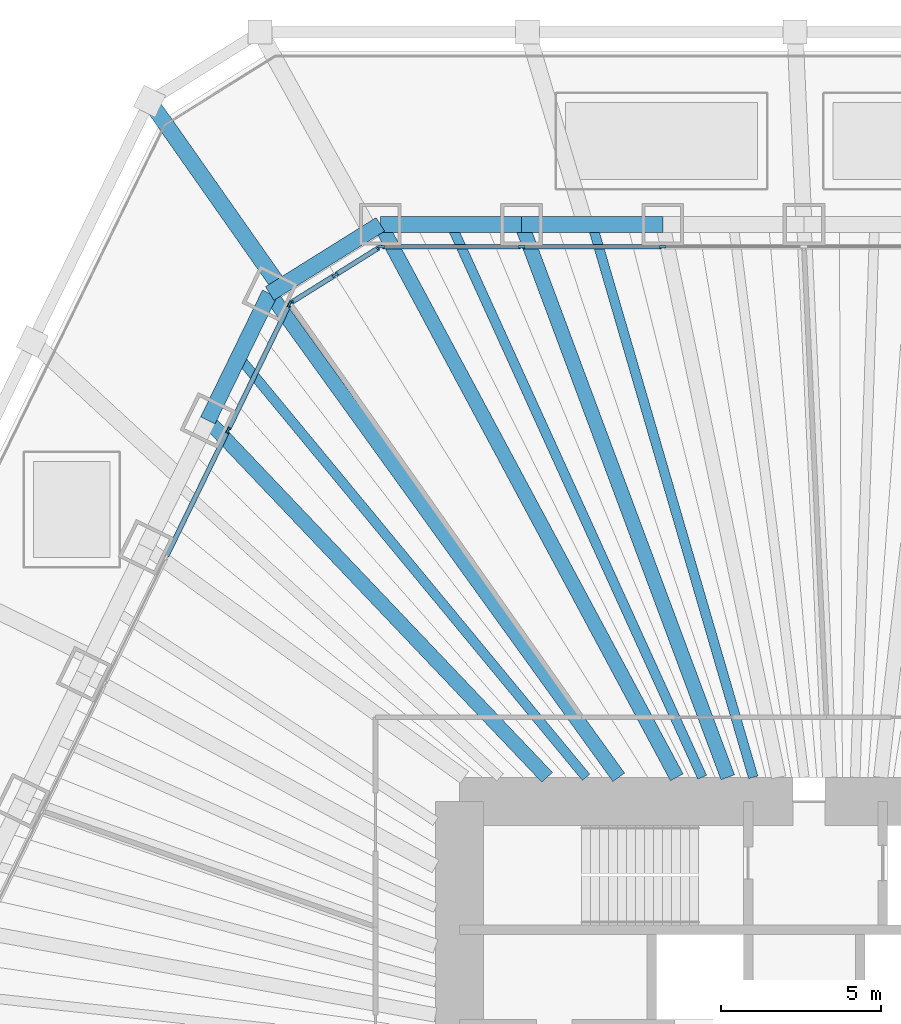
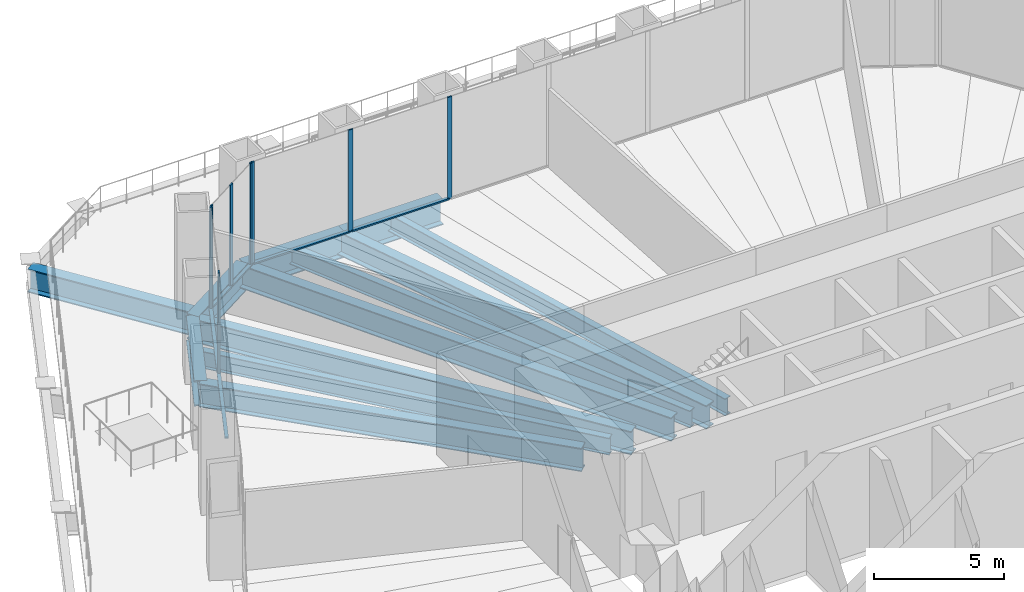
# One storey, part 7 of 20: 14 members, 12 beams, 3 elements without a shape of their own.
"""IFC4 building model written with IfcOpenShell, lengths in metres."""

from ifc_helpers import new_model, si_unit, direction, frame, origin, origin_2d, place, context, subcontext, project, spatial, rectangle, i_section, extrude, material, material_profile, profile_set, type_object, element, aggregate, save


model = new_model("IFC4")

# Units and contexts
model_context = context("Model", 3, precision=1e-05, world=origin(), true_north=direction((0.0, 1.0)))
body_context = subcontext(model_context, "Body", "Model", "MODEL_VIEW")
ifc_project = project(units=[si_unit("LENGTHUNIT", "METRE"), si_unit("AREAUNIT", "SQUARE_METRE"), si_unit("VOLUMEUNIT", "CUBIC_METRE"), si_unit("PLANEANGLEUNIT", "RADIAN"), si_unit("MASSUNIT", "GRAM", prefix="KILO")], contexts=[model_context])

# Site, building, storey
site_placement = place(None, origin())
site = spatial("IfcSite", under=ifc_project, at=site_placement, CompositionType="ELEMENT")
building_placement = place(site_placement, origin())
building = spatial("IfcBuilding", under=site, at=building_placement, Name="Qingtian Harvest Tower", CompositionType="ELEMENT")
storey_placement = place(building_placement, frame((0.0, 0.0, 17.0)))
storey = spatial("IfcBuildingStorey", under=building, at=storey_placement, Name="L03", CompositionType="ELEMENT", Elevation=17.0)

# Beams
ifc_material_1 = material(Name="Steel SM570MC", Category="steel")
ifc_material_profile_1 = material_profile(ifc_material_1, i_section(OverallWidth=0.449951171875, OverallDepth=1.10009765625, WebThickness=0.02197265625, FlangeThickness=0.044921875, at=origin_2d()), Name="H1100x450x22x45")
ifc_profile_set_1 = profile_set([ifc_material_profile_1], Name="Steel SM570MC")
beam_type_1 = type_object("IfcBeamType", Name="Corner floor beam FB8 H1100x450x22x45", PredefinedType="BEAM", material=ifc_profile_set_1)
beam_1_placement = place(storey_placement, frame((-14.471435546875, 27.0, -0.85009765625), z_axis=(0.472401408299, -0.881383520062, 0.0), x_axis=(0.881383520062, 0.472401408299, 0.0)))
element("IfcBeam", 1, at=beam_1_placement, inside=storey, type_object=beam_type_1, Name="Floor beam FB8 N0", PredefinedType="BEAM", context=body_context, shape_type="SweptSolid", body=[
    extrude(i_section(OverallWidth=0.449951171875, OverallDepth=1.10009765625, WebThickness=0.02197265625, FlangeThickness=0.044921875, at=origin_2d()), origin(), (0.0, 0.0, 1.0), 19.571533203125),
])
beam_2_placement = place(storey_placement, frame((-17.923583984375, 24.8427734375, -0.85009765625), z_axis=(0.585095822328, -0.810964166098, 0.0), x_axis=(0.810964166098, 0.585095822328, 0.0)))
element("IfcBeam", 2, at=beam_2_placement, inside=storey, type_object=beam_type_1, Name="Floor beam FB8 NW6", PredefinedType="BEAM", context=body_context, shape_type="SweptSolid", body=[
    extrude(i_section(OverallWidth=0.449951171875, OverallDepth=1.10009765625, WebThickness=0.02197265625, FlangeThickness=0.044921875, at=origin_2d()), origin(), (0.0, 0.0, 1.0), 18.61083984375),
])
ifc_material_2 = material(Name="Steel SM570MC", Category="steel")
ifc_material_profile_2 = material_profile(ifc_material_2, i_section(OverallWidth=0.449951171875, OverallDepth=1.10009765625, WebThickness=0.02197265625, FlangeThickness=0.044921875, at=origin_2d()), Name="H1100x450x22x45")
ifc_profile_set_2 = profile_set([ifc_material_profile_2], Name="Steel SM570MC")
beam_type_2 = type_object("IfcBeamType", Name="Floor beam FB1 H1100x450x22x45", PredefinedType="BEAM", material=ifc_profile_set_2)
beam_3_placement = place(storey_placement, frame((-10.06689453125, 27.0, -0.85009765625), z_axis=(0.349355612113, -0.936990211414, 0.0), x_axis=(0.936990211414, 0.349355612113, 0.0)))
element("IfcBeam", 3, at=beam_3_placement, inside=storey, type_object=beam_type_2, Name="Floor beam FB1 N1", PredefinedType="BEAM", context=body_context, shape_type="SweptSolid", body=[
    extrude(i_section(OverallWidth=0.449951171875, OverallDepth=1.10009765625, WebThickness=0.02197265625, FlangeThickness=0.044921875, at=origin_2d()), origin(), (0.0, 0.0, 1.0), 18.409912109375),
])
beam_4_placement = place(storey_placement, frame((-19.8544921875, 20.884033203125, -0.85009765625), z_axis=(0.689018801535, -0.724743465739, 0.0), x_axis=(0.724743465739, 0.689018801535, 0.0)))
element("IfcBeam", 4, at=beam_4_placement, inside=storey, type_object=beam_type_2, Name="Floor beam FB1 NW5", PredefinedType="BEAM", context=body_context, shape_type="SweptSolid", body=[
    extrude(i_section(OverallWidth=0.449951171875, OverallDepth=1.10009765625, WebThickness=0.02197265625, FlangeThickness=0.044921875, at=origin_2d()), origin(), (0.0, 0.0, 1.0), 15.36279296875),
])
ifc_material_3 = material(Name="Steel SM570MC", Category="steel")
ifc_material_profile_3 = material_profile(ifc_material_3, i_section(OverallWidth=0.5, OverallDepth=1.10009765625, WebThickness=0.02490234375, FlangeThickness=0.050048828125, at=origin_2d()), Name="H1100x500x25x50")
ifc_profile_set_3 = profile_set([ifc_material_profile_3], Name="Steel SM570MC")
beam_type_3 = type_object("IfcBeamType", Name="Floor beam FB6 H1100x500x25x50", PredefinedType="BEAM", material=ifc_profile_set_3)
beam_5_placement = place(storey_placement, frame((-21.6728515625, 30.8427734375, -0.85009765625), z_axis=(0.574952997863, -0.818186439785, 0.0), x_axis=(0.818186439785, 0.574952997863, 0.0)))
element("IfcBeam", 5, at=beam_5_placement, inside=storey, type_object=beam_type_3, Name="Podium floor beam FB6 NW4", PredefinedType="BEAM", context=body_context, shape_type="SweptSolid", body=[
    extrude(i_section(OverallWidth=0.5, OverallDepth=1.10009765625, WebThickness=0.02490234375, FlangeThickness=0.050048828125, at=origin_2d()), origin(), (0.0, 0.0, 1.0), 7.08544921875),
])
ifc_material_4 = material(Name="Steel SN490B", Category="steel")
ifc_material_profile_4 = material_profile(ifc_material_4, i_section(OverallWidth=0.300048828125, OverallDepth=0.800048828125, WebThickness=0.013916015625, FlangeThickness=0.02587890625, at=origin_2d()), Name="H800x300x14x26")
ifc_profile_set_4 = profile_set([ifc_material_profile_4], Name="Steel SN490B")
beam_type_4 = type_object("IfcBeamType", Name="Floor joist J1 H800x300x14x26", PredefinedType="JOIST", material=ifc_profile_set_4)
beam_6_placement = place(storey_placement, frame((-12.269287109375, 27.0, -0.699951171875), z_axis=(0.413713629402, -0.910407069858, 0.0), x_axis=(0.910407069858, 0.413713629402, 0.0)))
element("IfcBeam", 6, at=beam_6_placement, inside=storey, type_object=beam_type_4, Name="Floor joist J1 N0", PredefinedType="JOIST", context=body_context, shape_type="SweptSolid", body=[
    extrude(i_section(OverallWidth=0.300048828125, OverallDepth=0.800048828125, WebThickness=0.013916015625, FlangeThickness=0.02587890625, at=origin_2d()), origin(), (0.0, 0.0, 1.0), 18.947509765625),
])
beam_7_placement = place(storey_placement, frame((-7.864501953125, 27.0, -0.699951171875), z_axis=(0.279649335299, -0.960102207719, 0.0), x_axis=(0.960102207719, 0.279649335299, 0.0)))
element("IfcBeam", 7, at=beam_7_placement, inside=storey, type_object=beam_type_4, Name="Floor joist J1 N1", PredefinedType="JOIST", context=body_context, shape_type="SweptSolid", body=[
    extrude(i_section(OverallWidth=0.300048828125, OverallDepth=0.800048828125, WebThickness=0.013916015625, FlangeThickness=0.02587890625, at=origin_2d()), origin(), (0.0, 0.0, 1.0), 17.966796875),
])
beam_8_placement = place(storey_placement, frame((-18.888916015625, 22.863525390625, -0.699951171875), z_axis=(0.636910378144, -0.77093785107, 0.0), x_axis=(0.77093785107, 0.636910378144, 0.0)))
element("IfcBeam", 8, at=beam_8_placement, inside=storey, type_object=beam_type_4, Name="Floor joist J1 NW5", PredefinedType="JOIST", context=body_context, shape_type="SweptSolid", body=[
    extrude(i_section(OverallWidth=0.300048828125, OverallDepth=0.800048828125, WebThickness=0.013916015625, FlangeThickness=0.02587890625, at=origin_2d()), origin(), (0.0, 0.0, 1.0), 17.009765625),
])

# Curtain wall, members
ifc_material_5 = material(Name="Bronze-anodised aluminium curtain wall", Category="aluminium")
curtain_wall_type = type_object("IfcCurtainWallType", Name="Curtain wall CW2 farm reception", PredefinedType="USERDEFINED", material=ifc_material_5)
curtain_wall_1_placement = place(storey_placement, origin())
curtain_wall_1 = element("IfcCurtainWall", 9, at=curtain_wall_1_placement, inside=storey, type_object=curtain_wall_type, Name="Curtain wall CW2 L03 N0-5", ObjectType="RECESSED CURTAIN WALL", PredefinedType="USERDEFINED")
ifc_material_6 = material(Name="Bronze-anodised aluminium mullion", Category="aluminium")
ifc_material_profile_5 = material_profile(ifc_material_6, rectangle(XDim=0.06494140625, YDim=0.199951171875, at=origin_2d()), Name="AL 65x200")
ifc_profile_set_5 = profile_set([ifc_material_profile_5], Name="Bronze-anodised aluminium mullion")
member_type_1 = type_object("IfcMemberType", Name="Mullion CWM 65x200", PredefinedType="MULLION", material=ifc_profile_set_5)
member_1_placement = place(storey_placement, frame((-14.43896484375, 26.300048828125, 0.0), z_axis=(0.0, 0.0, 1.0), x_axis=(0.0, 1.0, 0.0)))
member_1 = element("IfcMember", 10, at=member_1_placement, type_object=member_type_1, Name="CW2 mullion 1", PredefinedType="MULLION", context=body_context, shape_type="SweptSolid", body=[
    extrude(rectangle(XDim=0.06494140625, YDim=0.199951171875, at=origin_2d()), origin(), (0.0, 0.0, 1.0), 4.800048828125),
])
member_2_placement = place(storey_placement, frame((-10.06689453125, 26.300048828125, 0.0), z_axis=(0.0, 0.0, 1.0), x_axis=(0.0, 1.0, 0.0)))
member_2 = element("IfcMember", 11, at=member_2_placement, type_object=member_type_1, Name="CW2 mullion 2", PredefinedType="MULLION", context=body_context, shape_type="SweptSolid", body=[
    extrude(rectangle(XDim=0.06494140625, YDim=0.199951171875, at=origin_2d()), origin(), (0.0, 0.0, 1.0), 4.800048828125),
])
member_3_placement = place(storey_placement, frame((-5.662353515625, 26.300048828125, 0.0), z_axis=(0.0, 0.0, 1.0), x_axis=(0.0, 1.0, 0.0)))
member_3 = element("IfcMember", 12, at=member_3_placement, type_object=member_type_1, Name="CW2 mullion 3", PredefinedType="MULLION", context=body_context, shape_type="SweptSolid", body=[
    extrude(rectangle(XDim=0.06494140625, YDim=0.199951171875, at=origin_2d()), origin(), (0.0, 0.0, 1.0), 4.800048828125),
])

curtain_wall_2_placement = place(storey_placement, origin())
curtain_wall_2 = element("IfcCurtainWall", 13, at=curtain_wall_2_placement, inside=storey, type_object=curtain_wall_type, Name="Curtain wall CW2 L03 NW0-5", ObjectType="RECESSED CURTAIN WALL", PredefinedType="USERDEFINED")
member_4_placement = place(storey_placement, frame((-19.225341796875, 20.5771484375, 0.0), z_axis=(0.0, 0.0, 1.0), x_axis=(-0.898794046299, 0.438371146789, 0.0)))
member_4 = element("IfcMember", 14, at=member_4_placement, type_object=member_type_1, Name="CW2 mullion 6", PredefinedType="MULLION", context=body_context, shape_type="SweptSolid", body=[
    extrude(rectangle(XDim=0.06494140625, YDim=0.199951171875, at=origin_2d()), origin(), (0.0, 0.0, 1.0), 4.800048828125),
])
member_5_placement = place(storey_placement, frame((-17.30859375, 24.5068359375, 0.0), z_axis=(0.0, 0.0, 1.0), x_axis=(-0.898794046299, 0.438371146789, 0.0)))
member_5 = element("IfcMember", 15, at=member_5_placement, type_object=member_type_1, Name="CW2 mullion 7", PredefinedType="MULLION", context=body_context, shape_type="SweptSolid", body=[
    extrude(rectangle(XDim=0.06494140625, YDim=0.199951171875, at=origin_2d()), origin(), (0.0, 0.0, 1.0), 4.800048828125),
])

curtain_wall_3_placement = place(storey_placement, origin())
curtain_wall_3 = element("IfcCurtainWall", 16, at=curtain_wall_3_placement, inside=storey, type_object=curtain_wall_type, Name="Curtain wall CW2 L03 NWC", ObjectType="RECESSED CURTAIN WALL", PredefinedType="USERDEFINED")
member_6_placement = place(storey_placement, frame((-17.266845703125, 24.55322265625, 0.0), z_axis=(0.0, 0.0, 1.0), x_axis=(-0.529919264233, 0.848048096156, 0.0)))
member_6 = element("IfcMember", 17, at=member_6_placement, type_object=member_type_1, Name="CW2 mullion 1", PredefinedType="MULLION", context=body_context, shape_type="SweptSolid", body=[
    extrude(rectangle(XDim=0.06494140625, YDim=0.199951171875, at=origin_2d()), origin(), (0.0, 0.0, 1.0), 4.800048828125),
])
member_7_placement = place(storey_placement, frame((-15.883056640625, 25.41796875, 0.0), z_axis=(0.0, 0.0, 1.0), x_axis=(-0.529919264233, 0.848048096156, 0.0)))
member_7 = element("IfcMember", 18, at=member_7_placement, type_object=member_type_1, Name="CW2 mullion 2", PredefinedType="MULLION", context=body_context, shape_type="SweptSolid", body=[
    extrude(rectangle(XDim=0.06494140625, YDim=0.199951171875, at=origin_2d()), origin(), (0.0, 0.0, 1.0), 4.800048828125),
])
member_8_placement = place(storey_placement, frame((-14.4990234375, 26.28271484375, 0.0), z_axis=(0.0, 0.0, 1.0), x_axis=(-0.529919264233, 0.848048096156, 0.0)))
member_8 = element("IfcMember", 19, at=member_8_placement, type_object=member_type_1, Name="CW2 mullion 3", PredefinedType="MULLION", context=body_context, shape_type="SweptSolid", body=[
    extrude(rectangle(XDim=0.06494140625, YDim=0.199951171875, at=origin_2d()), origin(), (0.0, 0.0, 1.0), 4.800048828125),
])

# Beams
ifc_material_7 = material(Name="Steel SM570MC", Category="steel")
ifc_material_profile_6 = material_profile(ifc_material_7, i_section(OverallWidth=0.5, OverallDepth=1.199951171875, WebThickness=0.02490234375, FlangeThickness=0.050048828125, at=origin_2d()), Name="H1200x500x25x50")
ifc_profile_set_6 = profile_set([ifc_material_profile_6], Name="Steel SM570MC")
beam_type_5 = type_object("IfcBeamType", Name="Spandrel beam SB1 H1200x500x25x50", PredefinedType="SPANDREL", material=ifc_profile_set_6)
for number, where, z_axis, x_axis, name in (
    (20, (-14.471435546875, 27.0, -0.89990234375), (1.0, 0.0, 0.0), (0.0, 1.0, 0.0), "Spandrel SB1 N0"),
    (21, (-10.06689453125, 27.0, -0.89990234375), (1.0, 0.0, 0.0), (0.0, 1.0, 0.0), "Spandrel SB1 N1"),
    (22, (-19.8544921875, 20.884033203125, -0.89990234375), (0.438389777529, 0.898784959241, 0.0), (-0.898784959241, 0.438389777529, 0.0), "Spandrel SB1 NW5"),
):
    element("IfcBeam", number, at=place(storey_placement, frame(where, z_axis=z_axis, x_axis=x_axis)), inside=storey, type_object=beam_type_5, Name=name, PredefinedType="SPANDREL", context=body_context, shape_type="SweptSolid", body=[
        extrude(i_section(OverallWidth=0.5, OverallDepth=1.199951171875, WebThickness=0.02490234375, FlangeThickness=0.050048828125, at=origin_2d()), origin(), (0.0, 0.0, 1.0), 4.404541015625),
    ])
beam_9_placement = place(storey_placement, frame((-17.923583984375, 24.8427734375, -0.89990234375), z_axis=(0.848038733752, 0.529934246919, 0.0), x_axis=(-0.529934246919, 0.848038733752, 0.0)))
element("IfcBeam", 23, at=beam_9_placement, inside=storey, type_object=beam_type_5, Name="Spandrel SB1 NWC", PredefinedType="SPANDREL", context=body_context, shape_type="SweptSolid", body=[
    extrude(i_section(OverallWidth=0.5, OverallDepth=1.199951171875, WebThickness=0.02490234375, FlangeThickness=0.050048828125, at=origin_2d()), origin(), (0.0, 0.0, 1.0), 4.07080078125),
])

# Member
ifc_material_8 = material(Name="Bronze-anodised aluminium transom", Category="aluminium")
ifc_material_profile_7 = material_profile(ifc_material_8, rectangle(XDim=0.14990234375, YDim=0.06494140625, at=origin_2d()), Name="AL 65x150")
ifc_profile_set_7 = profile_set([ifc_material_profile_7], Name="Bronze-anodised aluminium transom")
member_type_2 = type_object("IfcMemberType", Name="Transom CWT 65x150", PredefinedType="USERDEFINED", material=ifc_profile_set_7)
member_9_placement = place(storey_placement, frame((-14.406494140625, 26.300048828125, 0.032470703125), z_axis=(1.0, 0.0, 0.0), x_axis=(0.0, 1.0, 0.0)))
member_9 = element("IfcMember", 24, at=member_9_placement, type_object=member_type_2, Name="CW2 transom 1.1", ObjectType="TRANSOM", PredefinedType="USERDEFINED", context=body_context, shape_type="SweptSolid", body=[
    extrude(rectangle(XDim=0.14990234375, YDim=0.06494140625, at=origin_2d()), origin(), (0.0, 0.0, 1.0), 4.30712890625),
])

member_10_placement = place(storey_placement, frame((-10.034423828125, 26.300048828125, 0.032470703125), z_axis=(1.0, 0.0, 0.0), x_axis=(0.0, 1.0, 0.0)))
member_10 = element("IfcMember", 25, at=member_10_placement, type_object=member_type_2, Name="CW2 transom 2.1", ObjectType="TRANSOM", PredefinedType="USERDEFINED", context=body_context, shape_type="SweptSolid", body=[
    extrude(rectangle(XDim=0.14990234375, YDim=0.06494140625, at=origin_2d()), origin(), (0.0, 0.0, 1.0), 4.339599609375),
])

aggregate(curtain_wall_1, [member_1, member_2, member_3, member_9, member_10])

member_11_placement = place(storey_placement, frame((-21.141845703125, 16.6474609375, 0.032470703125), z_axis=(0.438348261778, 0.898805207704, 0.0), x_axis=(-0.898805207704, 0.438348261778, 0.0)))
member_11 = element("IfcMember", 26, at=member_11_placement, type_object=member_type_2, Name="CW2 transom 5.1", ObjectType="TRANSOM", PredefinedType="USERDEFINED", context=body_context, shape_type="SweptSolid", body=[
    extrude(rectangle(XDim=0.14990234375, YDim=0.06494140625, at=origin_2d()), origin(), (0.0, 0.0, 1.0), 4.33984375),
])

member_12_placement = place(storey_placement, frame((-19.2109375, 20.6064453125, 0.032470703125), z_axis=(0.438348803491, 0.89880494351, 0.0), x_axis=(-0.89880494351, 0.438348803491, 0.0)))
member_12 = element("IfcMember", 27, at=member_12_placement, type_object=member_type_2, Name="CW2 transom 6.1", ObjectType="TRANSOM", PredefinedType="USERDEFINED", context=body_context, shape_type="SweptSolid", body=[
    extrude(rectangle(XDim=0.14990234375, YDim=0.06494140625, at=origin_2d()), origin(), (0.0, 0.0, 1.0), 4.306884765625),
])

aggregate(curtain_wall_2, [member_4, member_5, member_11, member_12])

member_13_placement = place(storey_placement, frame((-17.2392578125, 24.570556640625, 0.032470703125), z_axis=(0.848059570903, 0.529900900357, 0.0), x_axis=(-0.529900900357, 0.848059570903, 0.0)))
member_13 = element("IfcMember", 28, at=member_13_placement, type_object=member_type_2, Name="CW2 transom 1.1", ObjectType="TRANSOM", PredefinedType="USERDEFINED", context=body_context, shape_type="SweptSolid", body=[
    extrude(rectangle(XDim=0.14990234375, YDim=0.06494140625, at=origin_2d()), origin(), (0.0, 0.0, 1.0), 1.56689453125),
])

member_14_placement = place(storey_placement, frame((-15.85546875, 25.435302734375, 0.032470703125), z_axis=(0.848059570903, 0.529900900357, 0.0), x_axis=(-0.529900900357, 0.848059570903, 0.0)))
member_14 = element("IfcMember", 29, at=member_14_placement, type_object=member_type_2, Name="CW2 transom 2.1", ObjectType="TRANSOM", PredefinedType="USERDEFINED", context=body_context, shape_type="SweptSolid", body=[
    extrude(rectangle(XDim=0.14990234375, YDim=0.06494140625, at=origin_2d()), origin(), (0.0, 0.0, 1.0), 1.56689453125),
])

aggregate(curtain_wall_3, [member_6, member_7, member_8, member_13, member_14])

save(model, "model.ifc")
